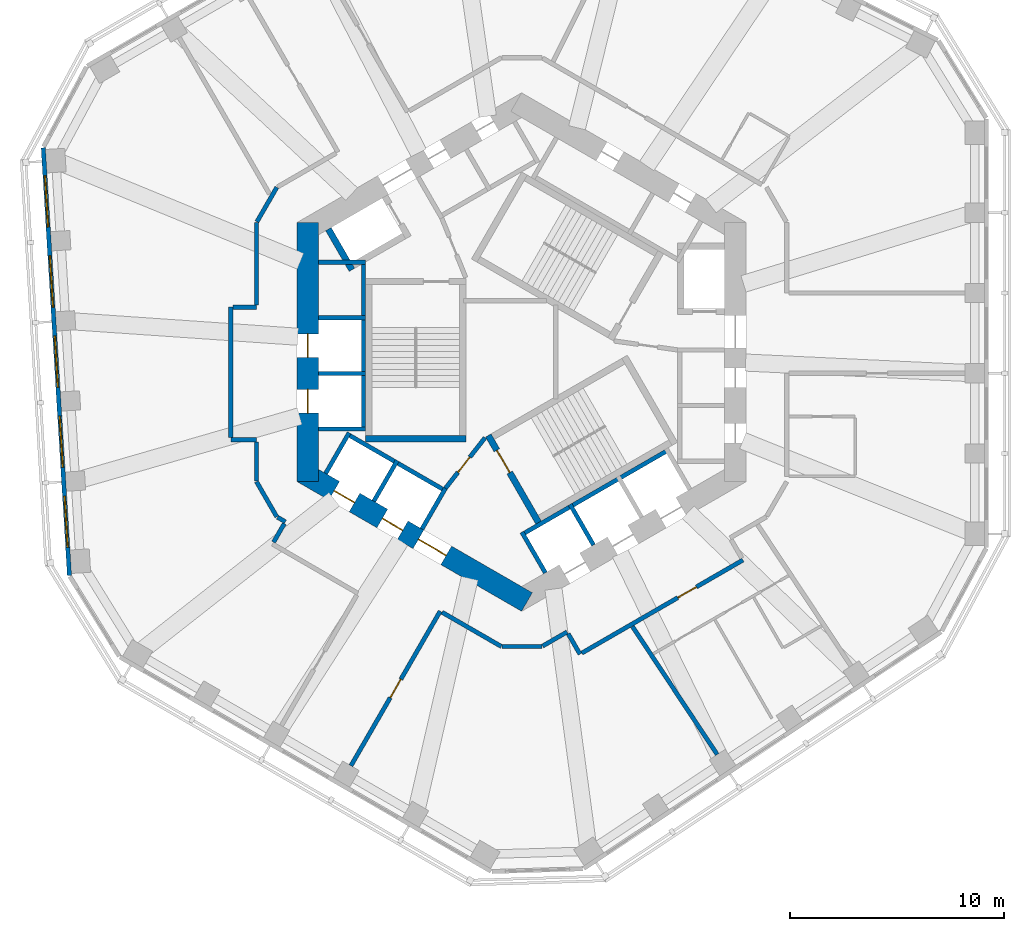
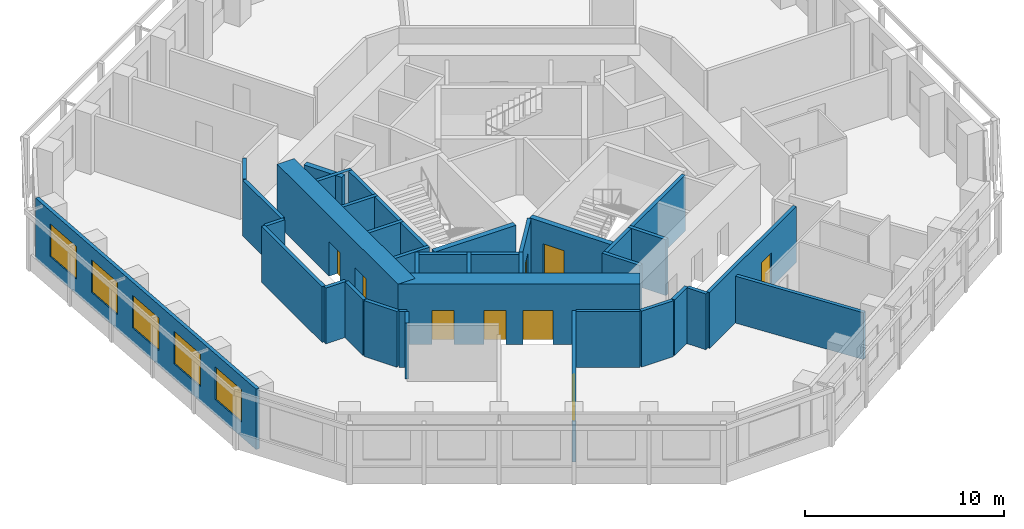
# One storey, part 4 of 10: 35 walls, 9 doors, 5 windows, 14 openings.
"""IFC4 building model written with IfcOpenShell, lengths in metres."""

from ifc_helpers import new_model, si_unit, direction, frame, frame_2d, origin, place, context, subcontext, project, spatial, rectangle, extrude, material, layer, layer_set, type_object, element, fill, save


model = new_model("IFC4")

# Units and contexts
model_context = context("Model", 3, precision=1e-05, world=origin(), true_north=direction((0.0, 1.0)))
body_context = subcontext(model_context, "Body", "Model", "MODEL_VIEW")
ifc_project = project(units=[si_unit("LENGTHUNIT", "METRE"), si_unit("AREAUNIT", "SQUARE_METRE"), si_unit("VOLUMEUNIT", "CUBIC_METRE"), si_unit("PLANEANGLEUNIT", "RADIAN"), si_unit("MASSUNIT", "GRAM", prefix="KILO")], contexts=[model_context])

# Site, building, storey
site_placement = place(None, origin())
site = spatial("IfcSite", under=ifc_project, at=site_placement, CompositionType="ELEMENT")
building_placement = place(site_placement, origin())
building = spatial("IfcBuilding", under=site, at=building_placement, Name="Vanh Sen Convention Tower", CompositionType="ELEMENT")
storey_placement = place(building_placement, frame((0.0, 0.0, 194.699951171875)))
storey = spatial("IfcBuildingStorey", under=building, at=storey_placement, Name="L48", CompositionType="ELEMENT", Elevation=194.699951171875)

# Wall, openings, doors
ifc_material_1 = material(Name="Concrete C80/95", Category="concrete")
ifc_layer_1 = layer(ifc_material_1, 1.0)
ifc_layer_set_1 = layer_set([ifc_layer_1], Name="Concrete C80/95")
wall_type_1 = type_object("IfcWallType", Name="Core outer wall 1000 C80/95", PredefinedType="SHEAR", material=ifc_layer_set_1)
wall_1_placement = place(storey_placement, frame((-10.0, 6.062255859375, 0.0), z_axis=(0.0, 0.0, 1.0), x_axis=(0.0, -1.0, 0.0)))
wall_1 = element("IfcWall", 1, at=wall_1_placement, inside=storey, type_object=wall_type_1, Name="Core wall face W L48", PredefinedType="SHEAR", context=body_context, shape_type="SweptSolid", body=[
    extrude(rectangle(XDim=12.12451171875, YDim=1.0, at=frame_2d((6.062255859375, 0.0))), origin(), (0.0, 0.0, 1.0), 3.699951171875),
])
opening_1_placement = place(wall_1_placement, frame((5.212158203125, 0.0, 0.0)))
opening_1 = element("IfcOpeningElement", 2, at=opening_1_placement, cuts=wall_1, Name="Opening LD-HR1", PredefinedType="OPENING", context=body_context, shape_type="SweptSolid", body=[
    extrude(rectangle(XDim=1.10009765625, YDim=2.10009765625, at=frame_2d((0.550048828125, 1.050048828125))), frame((0.0, 0.510009765625, 0.0), z_axis=(0.0, -1.0, 0.0), x_axis=(1.0, 0.0, 0.0)), (0.0, 0.0, 1.0), 1.02001953125),
])
opening_2_placement = place(wall_1_placement, frame((7.812255859375, 0.0, 0.0)))
opening_2 = element("IfcOpeningElement", 3, at=opening_2_placement, cuts=wall_1, Name="Opening LD-HR2", PredefinedType="OPENING", context=body_context, shape_type="SweptSolid", body=[
    extrude(rectangle(XDim=1.10009765625, YDim=2.10009765625, at=frame_2d((0.550048828125, 1.050048828125))), frame((0.0, 0.510009765625, 0.0), z_axis=(0.0, -1.0, 0.0), x_axis=(1.0, 0.0, 0.0)), (0.0, 0.0, 1.0), 1.02001953125),
])
ifc_material_2 = material(Name="Stainless steel", Category="steel")
door_type_1 = type_object("IfcDoorType", Name="Lift landing door 1100", OperationType="DOUBLE_DOOR_SLIDING", PredefinedType="DOOR", material=ifc_material_2)
door_1_placement = place(opening_1_placement, origin())
door_1 = element("IfcDoor", 4, at=door_1_placement, inside=storey, type_object=door_type_1, Name="Lift HR1 landing door LD-HR1", OperationType="DOUBLE_DOOR_SLIDING", OverallHeight=2.10009765625, OverallWidth=1.10009765625, PredefinedType="DOOR", context=body_context, shape_type="SweptSolid", body=[
    extrude(rectangle(XDim=1.10009765625, YDim=2.10009765625, at=frame_2d((0.550048828125, 1.050048828125))), frame((0.0, 0.02490234375, 0.0), z_axis=(0.0, -1.0, 0.0), x_axis=(1.0, 0.0, 0.0)), (0.0, 0.0, 1.0), 0.050048828125),
])
fill(opening_1, door_1)
door_2_placement = place(opening_2_placement, origin())
door_2 = element("IfcDoor", 5, at=door_2_placement, inside=storey, type_object=door_type_1, Name="Lift HR2 landing door LD-HR2", OperationType="DOUBLE_DOOR_SLIDING", OverallHeight=2.10009765625, OverallWidth=1.10009765625, PredefinedType="DOOR", context=body_context, shape_type="SweptSolid", body=[
    extrude(rectangle(XDim=1.10009765625, YDim=2.10009765625, at=frame_2d((0.550048828125, 1.050048828125))), frame((0.0, 0.02490234375, 0.0), z_axis=(0.0, -1.0, 0.0), x_axis=(1.0, 0.0, 0.0)), (0.0, 0.0, 1.0), 0.050048828125),
])
fill(opening_2, door_2)

wall_2_placement = place(storey_placement, frame((-10.25, -5.629150390625, 0.0), z_axis=(0.0, 0.0, 1.0), x_axis=(0.866022616891, -0.50000482701, 0.0)))
wall_2 = element("IfcWall", 6, at=wall_2_placement, inside=storey, type_object=wall_type_1, Name="Core wall face SW L48", PredefinedType="SHEAR", context=body_context, shape_type="SweptSolid", body=[
    extrude(rectangle(XDim=12.12451171875, YDim=1.0, at=frame_2d((6.062255859375, 0.0))), origin(), (0.0, 0.0, 1.0), 3.699951171875),
])
opening_3_placement = place(wall_2_placement, frame((6.26220703125, 0.0, 0.0)))
opening_3 = element("IfcOpeningElement", 7, at=opening_3_placement, cuts=wall_2, Name="Opening D47003", PredefinedType="OPENING", context=body_context, shape_type="SweptSolid", body=[
    extrude(rectangle(XDim=1.5, YDim=2.10009765625, at=frame_2d((0.75, 1.050048828125))), frame((0.0, 0.510009765625, 0.0), z_axis=(0.0, -1.0, 0.0), x_axis=(1.0, 0.0, 0.0)), (0.0, 0.0, 1.0), 1.02001953125),
])
opening_4_placement = place(wall_2_placement, frame((1.712158203125, 0.0, 0.0)))
opening_4 = element("IfcOpeningElement", 8, at=opening_4_placement, cuts=wall_2, Name="Opening LD-HR3", PredefinedType="OPENING", context=body_context, shape_type="SweptSolid", body=[
    extrude(rectangle(XDim=1.10009765625, YDim=2.10009765625, at=frame_2d((0.550048828125, 1.050048828125))), frame((0.0, 0.510009765625, 0.0), z_axis=(0.0, -1.0, 0.0), x_axis=(1.0, 0.0, 0.0)), (0.0, 0.0, 1.0), 1.02001953125),
])
opening_5_placement = place(wall_2_placement, frame((4.312255859375, 0.0, 0.0)))
opening_5 = element("IfcOpeningElement", 9, at=opening_5_placement, cuts=wall_2, Name="Opening LD-HR4", PredefinedType="OPENING", context=body_context, shape_type="SweptSolid", body=[
    extrude(rectangle(XDim=1.10009765625, YDim=2.10009765625, at=frame_2d((0.550048828125, 1.050048828125))), frame((0.0, 0.510009765625, 0.0), z_axis=(0.0, -1.0, 0.0), x_axis=(1.0, 0.0, 0.0)), (0.0, 0.0, 1.0), 1.02001953125),
])
door_3_placement = place(opening_4_placement, origin())
door_3 = element("IfcDoor", 10, at=door_3_placement, inside=storey, type_object=door_type_1, Name="Lift HR3 landing door LD-HR3", OperationType="DOUBLE_DOOR_SLIDING", OverallHeight=2.10009765625, OverallWidth=1.10009765625, PredefinedType="DOOR", context=body_context, shape_type="SweptSolid", body=[
    extrude(rectangle(XDim=1.10009765625, YDim=2.10009765625, at=frame_2d((0.550048828125, 1.050048828125))), frame((0.0, 0.02490234375, 0.0), z_axis=(0.0, -1.0, 0.0), x_axis=(1.0, 0.0, 0.0)), (0.0, 0.0, 1.0), 0.050048828125),
])
fill(opening_4, door_3)
door_4_placement = place(opening_5_placement, origin())
door_4 = element("IfcDoor", 11, at=door_4_placement, inside=storey, type_object=door_type_1, Name="Lift HR4 landing door LD-HR4", OperationType="DOUBLE_DOOR_SLIDING", OverallHeight=2.10009765625, OverallWidth=1.10009765625, PredefinedType="DOOR", context=body_context, shape_type="SweptSolid", body=[
    extrude(rectangle(XDim=1.10009765625, YDim=2.10009765625, at=frame_2d((0.550048828125, 1.050048828125))), frame((0.0, 0.02490234375, 0.0), z_axis=(0.0, -1.0, 0.0), x_axis=(1.0, 0.0, 0.0)), (0.0, 0.0, 1.0), 0.050048828125),
])
fill(opening_5, door_4)
ifc_material_3 = material(Name="Steel S355", Category="steel")
door_type_2 = type_object("IfcDoorType", Name="Stair lobby door 1500", OperationType="DOUBLE_DOOR_SINGLE_SWING", PredefinedType="DOOR", material=ifc_material_3)
door_5_placement = place(opening_3_placement, origin())
door_5 = element("IfcDoor", 12, at=door_5_placement, inside=storey, type_object=door_type_2, Name="Stair lobby door D47003", OperationType="DOUBLE_DOOR_SINGLE_SWING", OverallHeight=2.10009765625, OverallWidth=1.5, PredefinedType="DOOR", context=body_context, shape_type="SweptSolid", body=[
    extrude(rectangle(XDim=1.5, YDim=2.10009765625, at=frame_2d((0.75, 1.050048828125))), frame((0.0, 0.02490234375, 0.0), z_axis=(0.0, -1.0, 0.0), x_axis=(1.0, 0.0, 0.0)), (0.0, 0.0, 1.0), 0.050048828125),
])
fill(opening_3, door_5)

# Walls
ifc_material_4 = material(Name="Gypsum board on steel studs with mineral wool", Category="steel")
ifc_layer_2 = layer(ifc_material_4, 0.199951171875)
ifc_layer_set_2 = layer_set([ifc_layer_2], Name="Gypsum board on steel studs with mineral wool")
wall_type_2 = type_object("IfcWallType", Name="Corridor partition wall 200", PredefinedType="PARTITIONING", material=ifc_layer_set_2)
wall_3_placement = place(storey_placement, frame((-13.60107421875, -4.10107421875, 0.0), z_axis=(0.0, 0.0, 1.0), x_axis=(1.0, 0.0, 0.0)))
element("IfcWall", 13, at=wall_3_placement, inside=storey, type_object=wall_type_2, Name="Corridor partition wall 200", PredefinedType="PARTITIONING", context=body_context, shape_type="SweptSolid", body=[
    extrude(rectangle(XDim=1.201171875, YDim=0.199951171875, at=frame_2d((0.6005859375, 0.0))), origin(), (0.0, 0.0, 1.0), 3.420166015625),
])
wall_4_placement = place(storey_placement, frame((-13.60107421875, 2.10107421875, 0.0), z_axis=(0.0, 0.0, 1.0), x_axis=(0.0, -1.0, 0.0)))
element("IfcWall", 14, at=wall_4_placement, inside=storey, type_object=wall_type_2, Name="Corridor partition wall 200", PredefinedType="PARTITIONING", context=body_context, shape_type="SweptSolid", body=[
    extrude(rectangle(XDim=6.10205078125, YDim=0.199951171875, at=frame_2d((3.051025390625, 0.0))), origin(), (0.0, 0.0, 1.0), 3.420166015625),
])
wall_5_placement = place(storey_placement, frame((-12.39990234375, -6.062255859375, 0.0), z_axis=(0.0, 0.0, 1.0), x_axis=(0.500022797313, -0.86601224135, 0.0)))
element("IfcWall", 15, at=wall_5_placement, inside=storey, type_object=wall_type_2, Name="Corridor partition wall 200", PredefinedType="PARTITIONING", context=body_context, shape_type="SweptSolid", body=[
    extrude(rectangle(XDim=1.89990234375, YDim=0.199951171875, at=frame_2d((0.949951171875, 0.0))), origin(), (0.0, 0.0, 1.0), 3.420166015625),
])
wall_6_placement = place(storey_placement, frame((-12.39990234375, -4.200927734375, 0.0), z_axis=(0.0, 0.0, 1.0), x_axis=(0.0, -1.0, 0.0)))
element("IfcWall", 16, at=wall_6_placement, inside=storey, type_object=wall_type_2, Name="Corridor partition wall 200", PredefinedType="PARTITIONING", context=body_context, shape_type="SweptSolid", body=[
    extrude(rectangle(XDim=1.8212890625, YDim=0.199951171875, at=frame_2d((0.91064453125, 0.0))), origin(), (0.0, 0.0, 1.0), 3.420166015625),
])
wall_7_placement = place(storey_placement, frame((-12.39990234375, 2.10107421875, 0.0), z_axis=(0.0, 0.0, 1.0), x_axis=(-1.0, 0.0, 0.0)))
element("IfcWall", 17, at=wall_7_placement, inside=storey, type_object=wall_type_2, Name="Corridor partition wall 200", PredefinedType="PARTITIONING", context=body_context, shape_type="SweptSolid", body=[
    extrude(rectangle(XDim=1.10107421875, YDim=0.199951171875, at=frame_2d((0.550537109375, 0.0))), origin(), (0.0, 0.0, 1.0), 3.420166015625),
])
wall_8_placement = place(storey_placement, frame((-12.39990234375, 6.062255859375, 0.0), z_axis=(0.0, 0.0, 1.0), x_axis=(0.0, -1.0, 0.0)))
element("IfcWall", 18, at=wall_8_placement, inside=storey, type_object=wall_type_2, Name="Corridor partition wall 200", PredefinedType="PARTITIONING", context=body_context, shape_type="SweptSolid", body=[
    extrude(rectangle(XDim=3.861328125, YDim=0.199951171875, at=frame_2d((1.9306640625, 0.0))), origin(), (0.0, 0.0, 1.0), 3.420166015625),
])
wall_9_placement = place(storey_placement, frame((-11.449951171875, 7.70751953125, 0.0), z_axis=(0.0, 0.0, 1.0), x_axis=(-0.499964847546, -0.866045698112, 0.0)))
element("IfcWall", 19, at=wall_9_placement, inside=storey, type_object=wall_type_2, Name="Corridor partition wall 200", PredefinedType="PARTITIONING", context=body_context, shape_type="SweptSolid", body=[
    extrude(rectangle(XDim=1.860107421875, YDim=0.199951171875, at=frame_2d((0.93017578125, 0.0))), origin(), (0.0, 0.0, 1.0), 3.420166015625),
])
wall_10_placement = place(storey_placement, frame((-11.415283203125, -7.7275390625, 0.0), z_axis=(0.0, 0.0, 1.0), x_axis=(0.865915281873, -0.500190688257, 0.0)))
element("IfcWall", 20, at=wall_10_placement, inside=storey, type_object=wall_type_2, Name="Corridor partition wall 200", PredefinedType="PARTITIONING", context=body_context, shape_type="SweptSolid", body=[
    extrude(rectangle(XDim=0.421142578125, YDim=0.199951171875, at=frame_2d((0.21044921875, 0.0))), origin(), (0.0, 0.0, 1.0), 3.420166015625),
])
wall_11_placement = place(storey_placement, frame((-11.1005859375, -8.02490234375, 0.0), z_axis=(0.0, 0.0, 1.0), x_axis=(-0.500074377092, -0.865982457891, 0.0)))
element("IfcWall", 21, at=wall_11_placement, inside=storey, type_object=wall_type_2, Name="Corridor partition wall 200", PredefinedType="PARTITIONING", context=body_context, shape_type="SweptSolid", body=[
    extrude(rectangle(XDim=1.000732421875, YDim=0.199951171875, at=frame_2d((0.50048828125, 0.0))), origin(), (0.0, 0.0, 1.0), 3.420166015625),
])

# Wall, opening, door
wall_12_placement = place(storey_placement, frame((-7.983642578125, -19.3505859375, 0.0), z_axis=(0.0, 0.0, 1.0), x_axis=(0.500010139422, 0.866019549707, 0.0)))
wall_12 = element("IfcWall", 22, at=wall_12_placement, inside=storey, type_object=wall_type_2, Name="Corridor partition wall 200", PredefinedType="PARTITIONING", context=body_context, shape_type="SweptSolid", body=[
    extrude(rectangle(XDim=8.349853515625, YDim=0.199951171875, at=frame_2d((4.1748046875, 0.0))), origin(), (0.0, 0.0, 1.0), 3.420166015625),
])
opening_6_placement = place(wall_12_placement, frame((3.675048828125, 0.0, 0.0)))
opening_6 = element("IfcOpeningElement", 23, at=opening_6_placement, cuts=wall_12, Name="Opening D47106", PredefinedType="OPENING", context=body_context, shape_type="SweptSolid", body=[
    extrude(rectangle(XDim=1.0, YDim=2.10009765625, at=frame_2d((0.5, 1.050048828125))), frame((0.0, 0.10986328125, 0.0), z_axis=(0.0, -1.0, 0.0), x_axis=(1.0, 0.0, 0.0)), (0.0, 0.0, 1.0), 0.219970703125),
])
ifc_material_5 = material(Name="Glazed fire door in steel frame", Category="steel")
door_type_3 = type_object("IfcDoorType", Name="Tenant entrance door 1000", OperationType="SINGLE_SWING_LEFT", PredefinedType="DOOR", material=ifc_material_5)
door_6_placement = place(opening_6_placement, origin())
door_6 = element("IfcDoor", 24, at=door_6_placement, inside=storey, type_object=door_type_3, Name="Tenant suite entrance door D47106", OperationType="SINGLE_SWING_LEFT", OverallHeight=2.10009765625, OverallWidth=1.0, PredefinedType="DOOR", context=body_context, shape_type="SweptSolid", body=[
    extrude(rectangle(XDim=1.0, YDim=2.10009765625, at=frame_2d((0.5, 1.050048828125))), frame((0.0, 0.02490234375, 0.0), z_axis=(0.0, -1.0, 0.0), x_axis=(1.0, 0.0, 0.0)), (0.0, 0.0, 1.0), 0.050048828125),
])
fill(opening_6, door_6)

# Walls
wall_13_placement = place(storey_placement, frame((-3.721923828125, -12.16943359375, 0.0), z_axis=(0.0, 0.0, 1.0), x_axis=(0.866033163891, -0.499986558861, 0.0)))
element("IfcWall", 25, at=wall_13_placement, inside=storey, type_object=wall_type_2, Name="Corridor partition wall 200", PredefinedType="PARTITIONING", context=body_context, shape_type="SweptSolid", body=[
    extrude(rectangle(XDim=3.20068359375, YDim=0.199951171875, at=frame_2d((1.600341796875, 0.0))), origin(), (0.0, 0.0, 1.0), 3.420166015625),
])
wall_14_placement = place(storey_placement, frame((-0.909912109375, -13.769775390625, 0.0), z_axis=(0.0, 0.0, 1.0), x_axis=(1.0, 0.0, 0.0)))
element("IfcWall", 26, at=wall_14_placement, inside=storey, type_object=wall_type_2, Name="Corridor partition wall 200", PredefinedType="PARTITIONING", context=body_context, shape_type="SweptSolid", body=[
    extrude(rectangle(XDim=1.85986328125, YDim=0.199951171875, at=frame_2d((0.929931640625, 0.0))), origin(), (0.0, 0.0, 1.0), 3.420166015625),
])
wall_15_placement = place(storey_placement, frame((0.984619140625, -13.749755859375, 0.0), z_axis=(0.0, 0.0, 1.0), x_axis=(0.866028661061, 0.499994358189, 0.0)))
element("IfcWall", 27, at=wall_15_placement, inside=storey, type_object=wall_type_2, Name="Corridor partition wall 200", PredefinedType="PARTITIONING", context=body_context, shape_type="SweptSolid", body=[
    extrude(rectangle(XDim=1.3212890625, YDim=0.199951171875, at=frame_2d((0.66064453125, 0.0))), origin(), (0.0, 0.0, 1.0), 3.420166015625),
])
wall_16_placement = place(storey_placement, frame((2.1787109375, -13.17578125, 0.0), z_axis=(0.0, 0.0, 1.0), x_axis=(0.499978356969, -0.866037899034, 0.0)))
element("IfcWall", 28, at=wall_16_placement, inside=storey, type_object=wall_type_2, Name="Corridor partition wall 200", PredefinedType="PARTITIONING", context=body_context, shape_type="SweptSolid", body=[
    extrude(rectangle(XDim=1.10107421875, YDim=0.199951171875, at=frame_2d((0.550537109375, 0.0))), origin(), (0.0, 0.0, 1.0), 3.420166015625),
])

# Wall, opening, door
wall_17_placement = place(storey_placement, frame((2.81591796875, -14.079345703125, 0.0), z_axis=(0.0, 0.0, 1.0), x_axis=(0.866021128829, 0.500007404367, 0.0)))
wall_17 = element("IfcWall", 29, at=wall_17_placement, inside=storey, type_object=wall_type_2, Name="Corridor partition wall 200", PredefinedType="PARTITIONING", context=body_context, shape_type="SweptSolid", body=[
    extrude(rectangle(XDim=8.701904296875, YDim=0.199951171875, at=frame_2d((4.35107421875, 0.0))), origin(), (0.0, 0.0, 1.0), 3.420166015625),
])
opening_7_placement = place(wall_17_placement, frame((5.18408203125, 0.0, 0.0)))
opening_7 = element("IfcOpeningElement", 30, at=opening_7_placement, cuts=wall_17, Name="Opening D47107", PredefinedType="OPENING", context=body_context, shape_type="SweptSolid", body=[
    extrude(rectangle(XDim=1.0, YDim=2.10009765625, at=frame_2d((0.5, 1.050048828125))), frame((0.0, 0.10986328125, 0.0), z_axis=(0.0, -1.0, 0.0), x_axis=(1.0, 0.0, 0.0)), (0.0, 0.0, 1.0), 0.219970703125),
])
ifc_material_6 = material(Name="Timber fire door in steel frame", Category="steel")
door_type_4 = type_object("IfcDoorType", Name="Floor room door 1000", OperationType="SINGLE_SWING_LEFT", PredefinedType="DOOR", material=ifc_material_6)
door_7_placement = place(opening_7_placement, origin())
door_7 = element("IfcDoor", 31, at=door_7_placement, inside=storey, type_object=door_type_4, Name="Meeting and amenity room door D47107", OperationType="SINGLE_SWING_LEFT", OverallHeight=2.10009765625, OverallWidth=1.0, PredefinedType="DOOR", context=body_context, shape_type="SweptSolid", body=[
    extrude(rectangle(XDim=1.0, YDim=2.10009765625, at=frame_2d((0.5, 1.050048828125))), frame((0.0, 0.02490234375, 0.0), z_axis=(0.0, -1.0, 0.0), x_axis=(1.0, 0.0, 0.0)), (0.0, 0.0, 1.0), 0.050048828125),
])
fill(opening_7, door_7)

# Wall, openings, windows
ifc_material_7 = material(Name="Insulated lightweight infill wall")
ifc_layer_3 = layer(ifc_material_7, 0.199951171875)
ifc_layer_set_3 = layer_set([ifc_layer_3], Name="Insulated lightweight infill wall")
wall_type_3 = type_object("IfcWallType", Name="External wall 200", PredefinedType="STANDARD", material=ifc_layer_set_3)
wall_18_placement = place(storey_placement, frame((-22.375, 9.55712890625, 0.0), z_axis=(0.0, 0.0, 1.0), x_axis=(0.061036015339, -0.998135564356, 0.0)))
wall_18 = element("IfcWall", 32, at=wall_18_placement, inside=storey, type_object=wall_type_3, Name="External wall W L48", PredefinedType="STANDARD", context=body_context, shape_type="SweptSolid", body=[
    extrude(rectangle(XDim=20.043701171875, YDim=0.199951171875, at=frame_2d((10.02197265625, 0.0))), origin(), (0.0, 0.0, 1.0), 3.699951171875),
])
opening_8_placement = place(wall_18_placement, frame((1.312744140625, 0.0, 0.89990234375)))
opening_8 = element("IfcOpeningElement", 33, at=opening_8_placement, cuts=wall_18, Name="Opening WO1-W1", PredefinedType="OPENING", context=body_context, shape_type="SweptSolid", body=[
    extrude(rectangle(XDim=2.39990234375, YDim=2.0, at=frame_2d((1.199951171875, 1.0))), frame((0.0, 0.10986328125, 0.0), z_axis=(0.0, -1.0, 0.0), x_axis=(1.0, 0.0, 0.0)), (0.0, 0.0, 1.0), 0.219970703125),
])
opening_9_placement = place(wall_18_placement, frame((5.06689453125, 0.0, 0.89990234375)))
opening_9 = element("IfcOpeningElement", 34, at=opening_9_placement, cuts=wall_18, Name="Opening WO1-W2", PredefinedType="OPENING", context=body_context, shape_type="SweptSolid", body=[
    extrude(rectangle(XDim=2.39990234375, YDim=2.0, at=frame_2d((1.199951171875, 1.0))), frame((0.0, 0.10986328125, 0.0), z_axis=(0.0, -1.0, 0.0), x_axis=(1.0, 0.0, 0.0)), (0.0, 0.0, 1.0), 0.219970703125),
])
opening_10_placement = place(wall_18_placement, frame((8.821044921875, 0.0, 0.89990234375)))
opening_10 = element("IfcOpeningElement", 35, at=opening_10_placement, cuts=wall_18, Name="Opening WO1-W3", PredefinedType="OPENING", context=body_context, shape_type="SweptSolid", body=[
    extrude(rectangle(XDim=2.39990234375, YDim=2.0, at=frame_2d((1.199951171875, 1.0))), frame((0.0, 0.10986328125, 0.0), z_axis=(0.0, -1.0, 0.0), x_axis=(1.0, 0.0, 0.0)), (0.0, 0.0, 1.0), 0.219970703125),
])
opening_11_placement = place(wall_18_placement, frame((12.5751953125, 0.0, 0.89990234375)))
opening_11 = element("IfcOpeningElement", 36, at=opening_11_placement, cuts=wall_18, Name="Opening WO1-W4", PredefinedType="OPENING", context=body_context, shape_type="SweptSolid", body=[
    extrude(rectangle(XDim=2.39990234375, YDim=2.0, at=frame_2d((1.199951171875, 1.0))), frame((0.0, 0.10986328125, 0.0), z_axis=(0.0, -1.0, 0.0), x_axis=(1.0, 0.0, 0.0)), (0.0, 0.0, 1.0), 0.219970703125),
])
opening_12_placement = place(wall_18_placement, frame((16.329345703125, 0.0, 0.89990234375)))
opening_12 = element("IfcOpeningElement", 37, at=opening_12_placement, cuts=wall_18, Name="Opening WO1-W5", PredefinedType="OPENING", context=body_context, shape_type="SweptSolid", body=[
    extrude(rectangle(XDim=2.39990234375, YDim=2.0, at=frame_2d((1.199951171875, 1.0))), frame((0.0, 0.10986328125, 0.0), z_axis=(0.0, -1.0, 0.0), x_axis=(1.0, 0.0, 0.0)), (0.0, 0.0, 1.0), 0.219970703125),
])
ifc_material_8 = material(Name="Aluminium frame with clear low-emissivity glass", Category="aluminium")
window_type = type_object("IfcWindowType", Name="Office window 2400 x 2000", PartitioningType="SINGLE_PANEL", PredefinedType="WINDOW", material=ifc_material_8)
window_1_placement = place(opening_8_placement, origin())
window_1 = element("IfcWindow", 38, at=window_1_placement, inside=storey, type_object=window_type, Name="Window WO1-W1", OverallHeight=2.0, OverallWidth=2.39990234375, PartitioningType="SINGLE_PANEL", PredefinedType="WINDOW", context=body_context, shape_type="SweptSolid", body=[
    extrude(rectangle(XDim=2.39990234375, YDim=2.0, at=frame_2d((1.199951171875, 1.0))), frame((0.0, 0.030029296875, 0.0), z_axis=(0.0, -1.0, 0.0), x_axis=(1.0, 0.0, 0.0)), (0.0, 0.0, 1.0), 0.06005859375),
])
fill(opening_8, window_1)
window_2_placement = place(opening_9_placement, origin())
window_2 = element("IfcWindow", 39, at=window_2_placement, inside=storey, type_object=window_type, Name="Window WO1-W2", OverallHeight=2.0, OverallWidth=2.39990234375, PartitioningType="SINGLE_PANEL", PredefinedType="WINDOW", context=body_context, shape_type="SweptSolid", body=[
    extrude(rectangle(XDim=2.39990234375, YDim=2.0, at=frame_2d((1.199951171875, 1.0))), frame((0.0, 0.030029296875, 0.0), z_axis=(0.0, -1.0, 0.0), x_axis=(1.0, 0.0, 0.0)), (0.0, 0.0, 1.0), 0.06005859375),
])
fill(opening_9, window_2)
window_3_placement = place(opening_10_placement, origin())
window_3 = element("IfcWindow", 40, at=window_3_placement, inside=storey, type_object=window_type, Name="Window WO1-W3", OverallHeight=2.0, OverallWidth=2.39990234375, PartitioningType="SINGLE_PANEL", PredefinedType="WINDOW", context=body_context, shape_type="SweptSolid", body=[
    extrude(rectangle(XDim=2.39990234375, YDim=2.0, at=frame_2d((1.199951171875, 1.0))), frame((0.0, 0.030029296875, 0.0), z_axis=(0.0, -1.0, 0.0), x_axis=(1.0, 0.0, 0.0)), (0.0, 0.0, 1.0), 0.06005859375),
])
fill(opening_10, window_3)
window_4_placement = place(opening_11_placement, origin())
window_4 = element("IfcWindow", 41, at=window_4_placement, inside=storey, type_object=window_type, Name="Window WO1-W4", OverallHeight=2.0, OverallWidth=2.39990234375, PartitioningType="SINGLE_PANEL", PredefinedType="WINDOW", context=body_context, shape_type="SweptSolid", body=[
    extrude(rectangle(XDim=2.39990234375, YDim=2.0, at=frame_2d((1.199951171875, 1.0))), frame((0.0, 0.030029296875, 0.0), z_axis=(0.0, -1.0, 0.0), x_axis=(1.0, 0.0, 0.0)), (0.0, 0.0, 1.0), 0.06005859375),
])
fill(opening_11, window_4)
window_5_placement = place(opening_12_placement, origin())
window_5 = element("IfcWindow", 42, at=window_5_placement, inside=storey, type_object=window_type, Name="Window WO1-W5", OverallHeight=2.0, OverallWidth=2.39990234375, PartitioningType="SINGLE_PANEL", PredefinedType="WINDOW", context=body_context, shape_type="SweptSolid", body=[
    extrude(rectangle(XDim=2.39990234375, YDim=2.0, at=frame_2d((1.199951171875, 1.0))), frame((0.0, 0.030029296875, 0.0), z_axis=(0.0, -1.0, 0.0), x_axis=(1.0, 0.0, 0.0)), (0.0, 0.0, 1.0), 0.06005859375),
])
fill(opening_12, window_5)

# Walls
ifc_material_9 = material(Name="Concrete C60/75", Category="concrete")
ifc_layer_4 = layer(ifc_material_9, 0.300048828125)
ifc_layer_set_4 = layer_set([ifc_layer_4], Name="Concrete C60/75")
wall_type_4 = type_object("IfcWallType", Name="Fire-fighting lift shaft wall 300", PredefinedType="SHEAR", material=ifc_layer_set_4)
wall_19_placement = place(storey_placement, frame((-7.936767578125, 3.846923828125, 0.0), z_axis=(0.0, 0.0, 1.0), x_axis=(-0.50002983664, 0.866008176907, 0.0)))
element("IfcWall", 43, at=wall_19_placement, inside=storey, type_object=wall_type_4, Name="Fire-fighting lift shaft wall L48", PredefinedType="SHEAR", context=body_context, shape_type="SweptSolid", body=[
    extrude(rectangle(XDim=2.199951171875, YDim=0.300048828125, at=frame_2d((1.10009765625, 0.0))), origin(), (0.0, 0.0, 1.0), 3.420166015625),
])
ifc_material_10 = material(Name="Concrete C40/50", Category="concrete")
ifc_layer_5 = layer(ifc_material_10, 0.199951171875)
ifc_layer_set_5 = layer_set([ifc_layer_5], Name="Concrete C40/50")
wall_type_5 = type_object("IfcWallType", Name="Lift shaft wall 200", PredefinedType="PARTITIONING", material=ifc_layer_set_5)
wall_20_placement = place(storey_placement, frame((-7.39990234375, 4.300048828125, 0.0), z_axis=(0.0, 0.0, 1.0), x_axis=(0.0, -1.0, 0.0)))
element("IfcWall", 44, at=wall_20_placement, inside=storey, type_object=wall_type_5, Name="Lift shaft wall L48", PredefinedType="PARTITIONING", context=body_context, shape_type="SweptSolid", body=[
    extrude(rectangle(XDim=8.0, YDim=0.199951171875, at=frame_2d((4.0, 0.0))), origin(), (0.0, 0.0, 1.0), 3.420166015625),
])
for number, where, z_axis, x_axis, name in (
    (45, (-7.300048828125, 4.199951171875, 0.0), (0.0, 0.0, 1.0), (-1.0, 0.0, 0.0), "Lift shaft wall L48"),
    (46, (-7.300048828125, 1.60009765625, 0.0), (0.0, 0.0, 1.0), (-1.0, 0.0, 0.0), "Lift shaft wall L48"),
    (47, (-7.300048828125, -1.0, 0.0), (0.0, 0.0, 1.0), (-1.0, 0.0, 0.0), "Lift shaft wall L48"),
    (48, (-7.300048828125, -3.60009765625, 0.0), (0.0, 0.0, 1.0), (-1.0, 0.0, 0.0), "Lift shaft wall L48"),
):
    element("IfcWall", number, at=place(storey_placement, frame(where, z_axis=z_axis, x_axis=x_axis)), inside=storey, type_object=wall_type_5, Name=name, PredefinedType="PARTITIONING", context=body_context, shape_type="SweptSolid", body=[
        extrude(rectangle(XDim=2.199951171875, YDim=0.199951171875, at=frame_2d((1.10009765625, 0.0))), origin(), (0.0, 0.0, 1.0), 3.420166015625),
    ])
wall_21_placement = place(storey_placement, frame((-8.203369140625, -3.80859375, 0.0), z_axis=(0.0, 0.0, 1.0), x_axis=(0.866028230842, -0.499995103361, 0.0)))
element("IfcWall", 49, at=wall_21_placement, inside=storey, type_object=wall_type_5, Name="Lift shaft wall L48", PredefinedType="PARTITIONING", context=body_context, shape_type="SweptSolid", body=[
    extrude(rectangle(XDim=5.39990234375, YDim=0.199951171875, at=frame_2d((2.699951171875, 0.0))), origin(), (0.0, 0.0, 1.0), 3.420166015625),
])
for number, where, z_axis, x_axis, name in (
    (50, (-8.066650390625, -3.77197265625, 0.0), (0.0, 0.0, 1.0), (-0.50002983664, -0.866008176907, 0.0), "Lift shaft wall L48"),
    (51, (-5.815185546875, -5.072021484375, 0.0), (0.0, 0.0, 1.0), (-0.499946605688, -0.86605622881, 0.0), "Lift shaft wall L48"),
):
    element("IfcWall", number, at=place(storey_placement, frame(where, z_axis=z_axis, x_axis=x_axis)), inside=storey, type_object=wall_type_5, Name=name, PredefinedType="PARTITIONING", context=body_context, shape_type="SweptSolid", body=[
        extrude(rectangle(XDim=2.199951171875, YDim=0.199951171875, at=frame_2d((1.10009765625, 0.0))), origin(), (0.0, 0.0, 1.0), 3.420166015625),
    ])
wall_22_placement = place(storey_placement, frame((-3.5634765625, -6.3720703125, 0.0), z_axis=(0.0, 0.0, 1.0), x_axis=(-0.499994660107, -0.866028486751, 0.0)))
element("IfcWall", 52, at=wall_22_placement, inside=storey, type_object=wall_type_5, Name="Lift shaft wall L48", PredefinedType="PARTITIONING", context=body_context, shape_type="SweptSolid", body=[
    extrude(rectangle(XDim=2.19970703125, YDim=0.199951171875, at=frame_2d((1.099853515625, 0.0))), origin(), (0.0, 0.0, 1.0), 3.420166015625),
])
wall_23_placement = place(storey_placement, frame((-0.02392578125, -8.55859375, 0.0), z_axis=(0.0, 0.0, 1.0), x_axis=(0.866026010844, 0.49999894854, 0.0)))
element("IfcWall", 53, at=wall_23_placement, inside=storey, type_object=wall_type_5, Name="Lift shaft wall L48", PredefinedType="PARTITIONING", context=body_context, shape_type="SweptSolid", body=[
    extrude(rectangle(XDim=8.0, YDim=0.199951171875, at=frame_2d((4.0, 0.0))), origin(), (0.0, 0.0, 1.0), 3.420166015625),
])
for number, where, z_axis, x_axis, name in (
    (54, (0.0126953125, -8.422119140625, 0.0), (0.0, 0.0, 1.0), (0.500077893725, -0.86598042715, 0.0), "Lift shaft wall L48"),
    (55, (2.264404296875, -7.1220703125, 0.0), (0.0, 0.0, 1.0), (0.500077893725, -0.86598042715, 0.0), "Lift shaft wall L48"),
):
    element("IfcWall", number, at=place(storey_placement, frame(where, z_axis=z_axis, x_axis=x_axis)), inside=storey, type_object=wall_type_5, Name=name, PredefinedType="PARTITIONING", context=body_context, shape_type="SweptSolid", body=[
        extrude(rectangle(XDim=2.199951171875, YDim=0.199951171875, at=frame_2d((1.10009765625, 0.0))), origin(), (0.0, 0.0, 1.0), 3.420166015625),
    ])

# Wall, opening, door
ifc_layer_6 = layer(ifc_material_10, 0.199951171875)
ifc_layer_set_6 = layer_set([ifc_layer_6], Name="Concrete C40/50")
wall_type_6 = type_object("IfcWallType", Name="Stair lobby wall 200", PredefinedType="PARTITIONING", material=ifc_layer_set_6)
wall_24_placement = place(storey_placement, frame((-1.71240234375, -4.00830078125, 0.0), z_axis=(0.0, 0.0, 1.0), x_axis=(-0.616549420702, -0.787316208287, 0.0)))
wall_24 = element("IfcWall", 56, at=wall_24_placement, inside=storey, type_object=wall_type_6, Name="Stair lobby wall L48", PredefinedType="PARTITIONING", context=body_context, shape_type="SweptSolid", body=[
    extrude(rectangle(XDim=3.002197265625, YDim=0.199951171875, at=frame_2d((1.5009765625, 0.0))), origin(), (0.0, 0.0, 1.0), 3.420166015625),
])
opening_13_placement = place(wall_24_placement, frame((1.14990234375, 0.0, 0.0)))
opening_13 = element("IfcOpeningElement", 57, at=opening_13_placement, cuts=wall_24, Name="Opening D47009", PredefinedType="OPENING", context=body_context, shape_type="SweptSolid", body=[
    extrude(rectangle(XDim=0.89990234375, YDim=2.10009765625, at=frame_2d((0.449951171875, 1.050048828125))), frame((0.0, 0.10986328125, 0.0), z_axis=(0.0, -1.0, 0.0), x_axis=(1.0, 0.0, 0.0)), (0.0, 0.0, 1.0), 0.219970703125),
])
door_type_5 = type_object("IfcDoorType", Name="Plant door 900", OperationType="SINGLE_SWING_LEFT", PredefinedType="DOOR", material=ifc_material_3)
door_8_placement = place(opening_13_placement, origin())
door_8 = element("IfcDoor", 58, at=door_8_placement, inside=storey, type_object=door_type_5, Name="Plant door D47009", OperationType="SINGLE_SWING_LEFT", OverallHeight=2.10009765625, OverallWidth=0.89990234375, PredefinedType="DOOR", context=body_context, shape_type="SweptSolid", body=[
    extrude(rectangle(XDim=0.89990234375, YDim=2.10009765625, at=frame_2d((0.449951171875, 1.050048828125))), frame((0.0, 0.02490234375, 0.0), z_axis=(0.0, -1.0, 0.0), x_axis=(1.0, 0.0, 0.0)), (0.0, 0.0, 1.0), 0.050048828125),
])
fill(opening_13, door_8)

# Wall
ifc_layer_7 = layer(ifc_material_9, 0.300048828125)
ifc_layer_set_7 = layer_set([ifc_layer_7], Name="Concrete C60/75")
wall_type_7 = type_object("IfcWallType", Name="Stair wall 300", PredefinedType="SHEAR", material=ifc_layer_set_7)
wall_25_placement = place(storey_placement, frame((-2.60009765625, -4.06005859375, 0.0), z_axis=(0.0, 0.0, 1.0), x_axis=(-1.0, 0.0, 0.0)))
element("IfcWall", 59, at=wall_25_placement, inside=storey, type_object=wall_type_7, Name="Stair wall L48", PredefinedType="SHEAR", context=body_context, shape_type="SweptSolid", body=[
    extrude(rectangle(XDim=4.699951171875, YDim=0.300048828125, at=frame_2d((2.35009765625, 0.0))), origin(), (0.0, 0.0, 1.0), 3.420166015625),
])

# Wall, opening, door
wall_26_placement = place(storey_placement, frame((-1.557861328125, -3.901611328125, 0.0), z_axis=(0.0, 0.0, 1.0), x_axis=(0.499977259774, -0.866038532462, 0.0)))
wall_26 = element("IfcWall", 60, at=wall_26_placement, inside=storey, type_object=wall_type_7, Name="Stair wall L48", PredefinedType="SHEAR", context=body_context, shape_type="SweptSolid", body=[
    extrude(rectangle(XDim=4.699951171875, YDim=0.300048828125, at=frame_2d((2.35009765625, 0.0))), origin(), (0.0, 0.0, 1.0), 3.420166015625),
])
opening_14_placement = place(wall_26_placement, frame((0.800048828125, 0.0, 0.0)))
opening_14 = element("IfcOpeningElement", 61, at=opening_14_placement, cuts=wall_26, Name="Opening D47006", PredefinedType="OPENING", context=body_context, shape_type="SweptSolid", body=[
    extrude(rectangle(XDim=1.199951171875, YDim=2.10009765625, at=frame_2d((0.60009765625, 1.050048828125))), frame((0.0, 0.159912109375, 0.0), z_axis=(0.0, -1.0, 0.0), x_axis=(1.0, 0.0, 0.0)), (0.0, 0.0, 1.0), 0.320068359375),
])
door_type_6 = type_object("IfcDoorType", Name="Stair door 1200", OperationType="SINGLE_SWING_RIGHT", PredefinedType="DOOR", material=ifc_material_3)
door_9_placement = place(opening_14_placement, origin())
door_9 = element("IfcDoor", 62, at=door_9_placement, inside=storey, type_object=door_type_6, Name="Stair ST3 door D47006", OperationType="SINGLE_SWING_RIGHT", OverallHeight=2.10009765625, OverallWidth=1.199951171875, PredefinedType="DOOR", context=body_context, shape_type="SweptSolid", body=[
    extrude(rectangle(XDim=1.199951171875, YDim=2.10009765625, at=frame_2d((0.60009765625, 1.050048828125))), frame((0.0, 0.02490234375, 0.0), z_axis=(0.0, -1.0, 0.0), x_axis=(1.0, 0.0, 0.0)), (0.0, 0.0, 1.0), 0.050048828125),
])
fill(opening_14, door_9)

# Wall
ifc_layer_8 = layer(ifc_material_4, 0.199951171875)
ifc_layer_set_8 = layer_set([ifc_layer_8], Name="Gypsum board on steel studs with mineral wool")
wall_type_8 = type_object("IfcWallType", Name="Tenant suite wall 200", PredefinedType="PARTITIONING", material=ifc_layer_set_8)
wall_27_placement = place(storey_placement, frame((9.14990234375, -18.8271484375, 0.0), z_axis=(0.0, 0.0, 1.0), x_axis=(-0.551928083938, 0.83389171369, 0.0)))
element("IfcWall", 63, at=wall_27_placement, inside=storey, type_object=wall_type_8, Name="Tenant suite wall 200", PredefinedType="PARTITIONING", context=body_context, shape_type="SweptSolid", body=[
    extrude(rectangle(XDim=7.182373046875, YDim=0.199951171875, at=frame_2d((3.59130859375, 0.0))), origin(), (0.0, 0.0, 1.0), 2.8701171875),
])

save(model, "model.ifc")
